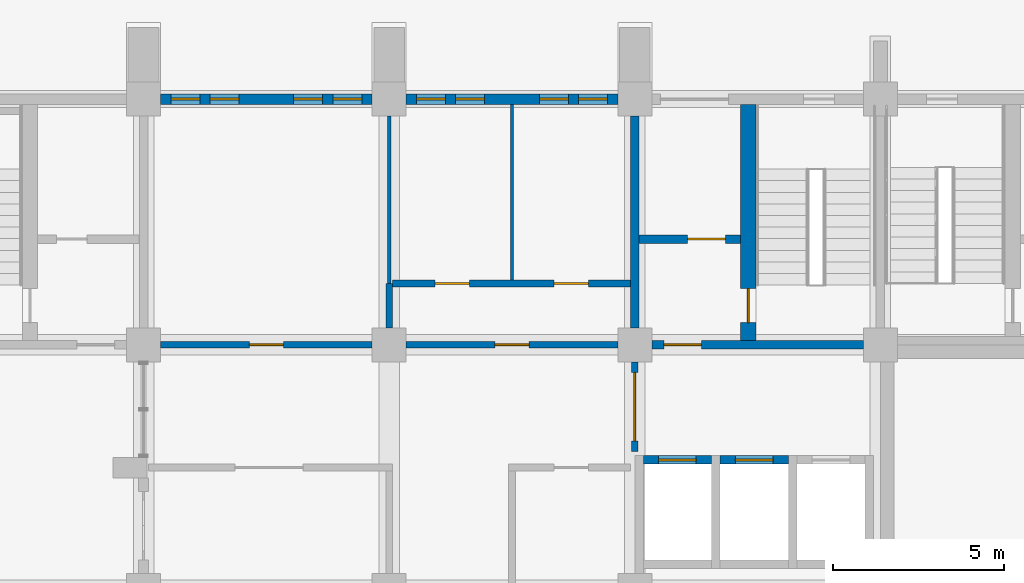
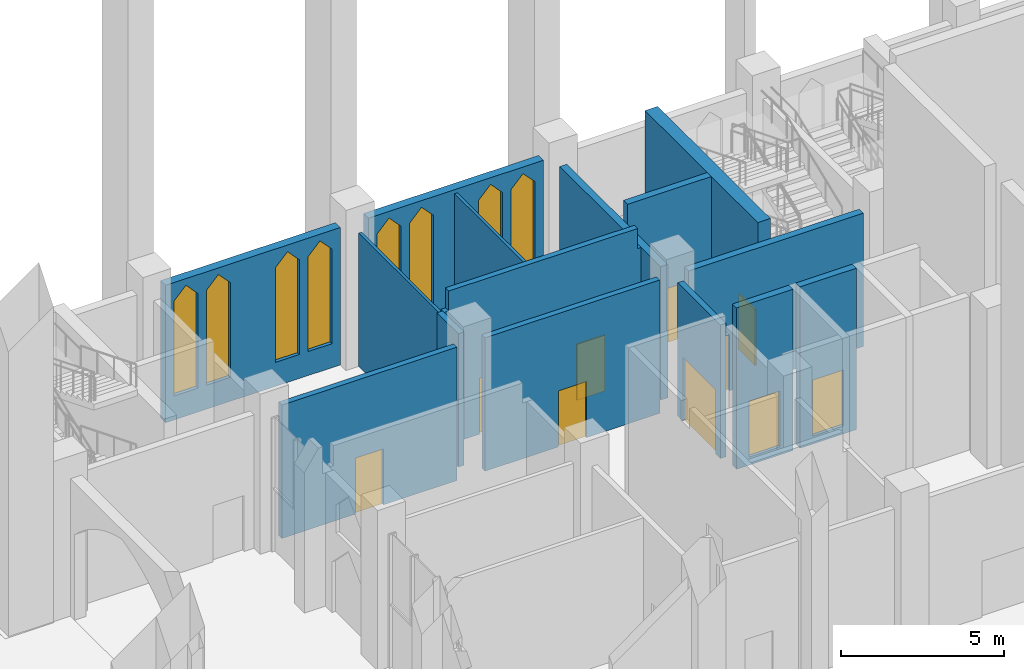
# One storey, part 34 of 50: 15 walls, 10 doors, 8 windows, 18 openings.
"""IFC4 building model written with IfcOpenShell, lengths in metres."""

from ifc_helpers import new_model, si_unit, direction, frame, frame_2d, origin, place, context, subcontext, project, spatial, polyline, rectangle, outline, extrude, material, layer, layer_set, type_object, element, fill, save


model = new_model("IFC4")

# Units and contexts
model_context = context("Model", 3, precision=1e-05, world=origin(), true_north=direction((0.0, 1.0)))
body_context = subcontext(model_context, "Body", "Model", "MODEL_VIEW")
ifc_project = project(units=[si_unit("LENGTHUNIT", "METRE"), si_unit("AREAUNIT", "SQUARE_METRE"), si_unit("VOLUMEUNIT", "CUBIC_METRE"), si_unit("PLANEANGLEUNIT", "RADIAN"), si_unit("MASSUNIT", "GRAM", prefix="KILO")], contexts=[model_context])

# Site, building, storey
site_placement = place(None, origin())
site = spatial("IfcSite", under=ifc_project, at=site_placement, CompositionType="ELEMENT")
building_placement = place(site_placement, origin())
building = spatial("IfcBuilding", under=site, at=building_placement, Name="Silangan Lancet Faculty of Sciences", CompositionType="ELEMENT")
storey_placement = place(building_placement, origin())
storey = spatial("IfcBuildingStorey", under=building, at=storey_placement, Name="L00", CompositionType="ELEMENT", Elevation=0.0)

# Wall, openings, windows
ifc_material_1 = material(Name="Concrete C40/50", Category="concrete")
ifc_layer_1 = layer(ifc_material_1, 0.300048828125)
ifc_layer_set_1 = layer_set([ifc_layer_1], Name="Concrete C40/50")
wall_type_1 = type_object("IfcWallType", Name="EW6 Stone-faced base wall", PredefinedType="STANDARD", material=ifc_layer_set_1)
wall_1_placement = place(storey_placement, frame((21.10009765625, 57.60009765625, 0.0), z_axis=(0.0, 0.0, 1.0), x_axis=(-1.0, 0.0, 0.0)))
wall_1 = element("IfcWall", 1, at=wall_1_placement, inside=storey, type_object=wall_type_1, Name="EW-L00-N-NT-01", PredefinedType="STANDARD", context=body_context, shape_type="SweptSolid", body=[
    extrude(rectangle(XDim=6.2001953125, YDim=0.300048828125, at=frame_2d((3.10009765625, 0.0))), origin(), (0.0, 0.0, 1.0), 5.14990234375),
])
opening_1_placement = place(wall_1_placement, frame((0.300048828125, 0.0, 0.89990234375)))
opening_1 = element("IfcOpeningElement", 2, at=opening_1_placement, cuts=wall_1, Name="Opening W4", PredefinedType="OPENING", context=body_context, shape_type="SweptSolid", body=[
    extrude(outline(polyline([(0.0, 0.0), (0.85009765625, 0.0), (0.85009765625, 3.550048828125), (0.425048828125, 4.0), (0.0, 3.550048828125), (0.0, 0.0)])), frame((0.0, 0.159912109375, 0.0), z_axis=(0.0, -1.0, 0.0), x_axis=(1.0, 0.0, 0.0)), (0.0, 0.0, 1.0), 0.320068359375),
])
opening_2_placement = place(wall_1_placement, frame((1.449951171875, 0.0, 0.89990234375)))
opening_2 = element("IfcOpeningElement", 3, at=opening_2_placement, cuts=wall_1, Name="Opening W4", PredefinedType="OPENING", context=body_context, shape_type="SweptSolid", body=[
    extrude(outline(polyline([(0.0, 0.0), (0.85009765625, 0.0), (0.85009765625, 3.550048828125), (0.425048828125, 4.0), (0.0, 3.550048828125), (0.0, 0.0)])), frame((0.0, 0.159912109375, 0.0), z_axis=(0.0, -1.0, 0.0), x_axis=(1.0, 0.0, 0.0)), (0.0, 0.0, 1.0), 0.320068359375),
])
opening_3_placement = place(wall_1_placement, frame((3.89990234375, 0.0, 0.89990234375)))
opening_3 = element("IfcOpeningElement", 4, at=opening_3_placement, cuts=wall_1, Name="Opening W4", PredefinedType="OPENING", context=body_context, shape_type="SweptSolid", body=[
    extrude(outline(polyline([(0.0, 0.0), (0.85009765625, 0.0), (0.85009765625, 3.550048828125), (0.425048828125, 4.0), (0.0, 3.550048828125), (0.0, 0.0)])), frame((0.0, 0.159912109375, 0.0), z_axis=(0.0, -1.0, 0.0), x_axis=(1.0, 0.0, 0.0)), (0.0, 0.0, 1.0), 0.320068359375),
])
opening_4_placement = place(wall_1_placement, frame((5.050048828125, 0.0, 0.89990234375)))
opening_4 = element("IfcOpeningElement", 5, at=opening_4_placement, cuts=wall_1, Name="Opening W4", PredefinedType="OPENING", context=body_context, shape_type="SweptSolid", body=[
    extrude(outline(polyline([(0.0, 0.0), (0.85009765625, 0.0), (0.85009765625, 3.550048828125), (0.425048828125, 4.0), (0.0, 3.550048828125), (0.0, 0.0)])), frame((0.0, 0.159912109375, 0.0), z_axis=(0.0, -1.0, 0.0), x_axis=(1.0, 0.0, 0.0)), (0.0, 0.0, 1.0), 0.320068359375),
])
ifc_material_2 = material(Name="Aluminium frame, laminated double glazing", Category="aluminium")
window_type = type_object("IfcWindowType", Name="W4 Lancet window 850 x 4000", PartitioningType="SINGLE_PANEL", PredefinedType="WINDOW", material=ifc_material_2)
window_1_placement = place(opening_1_placement, origin())
window_1 = element("IfcWindow", 6, at=window_1_placement, inside=storey, type_object=window_type, Name="WIN-L00-N-NT-01a1", OverallHeight=4.0, OverallWidth=0.85009765625, PartitioningType="SINGLE_PANEL", PredefinedType="WINDOW", context=body_context, shape_type="SweptSolid", body=[
    extrude(outline(polyline([(0.0, 0.0), (0.85009765625, 0.0), (0.85009765625, 3.550048828125), (0.425048828125, 4.0), (0.0, 3.550048828125), (0.0, 0.0)])), frame((0.0, 0.030029296875, 0.0), z_axis=(0.0, -1.0, 0.0), x_axis=(1.0, 0.0, 0.0)), (0.0, 0.0, 1.0), 0.06005859375),
])
fill(opening_1, window_1)
window_2_placement = place(opening_2_placement, origin())
window_2 = element("IfcWindow", 7, at=window_2_placement, inside=storey, type_object=window_type, Name="WIN-L00-N-NT-01a2", OverallHeight=4.0, OverallWidth=0.85009765625, PartitioningType="SINGLE_PANEL", PredefinedType="WINDOW", context=body_context, shape_type="SweptSolid", body=[
    extrude(outline(polyline([(0.0, 0.0), (0.85009765625, 0.0), (0.85009765625, 3.550048828125), (0.425048828125, 4.0), (0.0, 3.550048828125), (0.0, 0.0)])), frame((0.0, 0.030029296875, 0.0), z_axis=(0.0, -1.0, 0.0), x_axis=(1.0, 0.0, 0.0)), (0.0, 0.0, 1.0), 0.06005859375),
])
fill(opening_2, window_2)
window_3_placement = place(opening_3_placement, origin())
window_3 = element("IfcWindow", 8, at=window_3_placement, inside=storey, type_object=window_type, Name="WIN-L00-N-NT-01b1", OverallHeight=4.0, OverallWidth=0.85009765625, PartitioningType="SINGLE_PANEL", PredefinedType="WINDOW", context=body_context, shape_type="SweptSolid", body=[
    extrude(outline(polyline([(0.0, 0.0), (0.85009765625, 0.0), (0.85009765625, 3.550048828125), (0.425048828125, 4.0), (0.0, 3.550048828125), (0.0, 0.0)])), frame((0.0, 0.030029296875, 0.0), z_axis=(0.0, -1.0, 0.0), x_axis=(1.0, 0.0, 0.0)), (0.0, 0.0, 1.0), 0.06005859375),
])
fill(opening_3, window_3)
window_4_placement = place(opening_4_placement, origin())
window_4 = element("IfcWindow", 9, at=window_4_placement, inside=storey, type_object=window_type, Name="WIN-L00-N-NT-01b2", OverallHeight=4.0, OverallWidth=0.85009765625, PartitioningType="SINGLE_PANEL", PredefinedType="WINDOW", context=body_context, shape_type="SweptSolid", body=[
    extrude(outline(polyline([(0.0, 0.0), (0.85009765625, 0.0), (0.85009765625, 3.550048828125), (0.425048828125, 4.0), (0.0, 3.550048828125), (0.0, 0.0)])), frame((0.0, 0.030029296875, 0.0), z_axis=(0.0, -1.0, 0.0), x_axis=(1.0, 0.0, 0.0)), (0.0, 0.0, 1.0), 0.06005859375),
])
fill(opening_4, window_4)

wall_2_placement = place(storey_placement, frame((13.89990234375, 57.60009765625, 0.0), z_axis=(0.0, 0.0, 1.0), x_axis=(-1.0, 0.0, 0.0)))
wall_2 = element("IfcWall", 10, at=wall_2_placement, inside=storey, type_object=wall_type_1, Name="EW-L00-N-NT-02", PredefinedType="STANDARD", context=body_context, shape_type="SweptSolid", body=[
    extrude(rectangle(XDim=6.199951171875, YDim=0.300048828125, at=frame_2d((3.10009765625, 0.0))), origin(), (0.0, 0.0, 1.0), 5.14990234375),
])
opening_5_placement = place(wall_2_placement, frame((0.300048828125, 0.0, 0.89990234375)))
opening_5 = element("IfcOpeningElement", 11, at=opening_5_placement, cuts=wall_2, Name="Opening W4", PredefinedType="OPENING", context=body_context, shape_type="SweptSolid", body=[
    extrude(outline(polyline([(0.0, 0.0), (0.85009765625, 0.0), (0.85009765625, 3.550048828125), (0.425048828125, 4.0), (0.0, 3.550048828125), (0.0, 0.0)])), frame((0.0, 0.159912109375, 0.0), z_axis=(0.0, -1.0, 0.0), x_axis=(1.0, 0.0, 0.0)), (0.0, 0.0, 1.0), 0.320068359375),
])
opening_6_placement = place(wall_2_placement, frame((1.449951171875, 0.0, 0.89990234375)))
opening_6 = element("IfcOpeningElement", 12, at=opening_6_placement, cuts=wall_2, Name="Opening W4", PredefinedType="OPENING", context=body_context, shape_type="SweptSolid", body=[
    extrude(outline(polyline([(0.0, 0.0), (0.85009765625, 0.0), (0.85009765625, 3.550048828125), (0.425048828125, 4.0), (0.0, 3.550048828125), (0.0, 0.0)])), frame((0.0, 0.159912109375, 0.0), z_axis=(0.0, -1.0, 0.0), x_axis=(1.0, 0.0, 0.0)), (0.0, 0.0, 1.0), 0.320068359375),
])
opening_7_placement = place(wall_2_placement, frame((3.89990234375, 0.0, 0.89990234375)))
opening_7 = element("IfcOpeningElement", 13, at=opening_7_placement, cuts=wall_2, Name="Opening W4", PredefinedType="OPENING", context=body_context, shape_type="SweptSolid", body=[
    extrude(outline(polyline([(0.0, 0.0), (0.85009765625, 0.0), (0.85009765625, 3.550048828125), (0.425048828125, 4.0), (0.0, 3.550048828125), (0.0, 0.0)])), frame((0.0, 0.159912109375, 0.0), z_axis=(0.0, -1.0, 0.0), x_axis=(1.0, 0.0, 0.0)), (0.0, 0.0, 1.0), 0.320068359375),
])
opening_8_placement = place(wall_2_placement, frame((5.050048828125, 0.0, 0.89990234375)))
opening_8 = element("IfcOpeningElement", 14, at=opening_8_placement, cuts=wall_2, Name="Opening W4", PredefinedType="OPENING", context=body_context, shape_type="SweptSolid", body=[
    extrude(outline(polyline([(0.0, 0.0), (0.85009765625, 0.0), (0.85009765625, 3.550048828125), (0.425048828125, 4.0), (0.0, 3.550048828125), (0.0, 0.0)])), frame((0.0, 0.159912109375, 0.0), z_axis=(0.0, -1.0, 0.0), x_axis=(1.0, 0.0, 0.0)), (0.0, 0.0, 1.0), 0.320068359375),
])
window_5_placement = place(opening_5_placement, origin())
window_5 = element("IfcWindow", 15, at=window_5_placement, inside=storey, type_object=window_type, Name="WIN-L00-N-NT-02a1", OverallHeight=4.0, OverallWidth=0.85009765625, PartitioningType="SINGLE_PANEL", PredefinedType="WINDOW", context=body_context, shape_type="SweptSolid", body=[
    extrude(outline(polyline([(0.0, 0.0), (0.85009765625, 0.0), (0.85009765625, 3.550048828125), (0.425048828125, 4.0), (0.0, 3.550048828125), (0.0, 0.0)])), frame((0.0, 0.030029296875, 0.0), z_axis=(0.0, -1.0, 0.0), x_axis=(1.0, 0.0, 0.0)), (0.0, 0.0, 1.0), 0.06005859375),
])
fill(opening_5, window_5)
window_6_placement = place(opening_6_placement, origin())
window_6 = element("IfcWindow", 16, at=window_6_placement, inside=storey, type_object=window_type, Name="WIN-L00-N-NT-02a2", OverallHeight=4.0, OverallWidth=0.85009765625, PartitioningType="SINGLE_PANEL", PredefinedType="WINDOW", context=body_context, shape_type="SweptSolid", body=[
    extrude(outline(polyline([(0.0, 0.0), (0.85009765625, 0.0), (0.85009765625, 3.550048828125), (0.425048828125, 4.0), (0.0, 3.550048828125), (0.0, 0.0)])), frame((0.0, 0.030029296875, 0.0), z_axis=(0.0, -1.0, 0.0), x_axis=(1.0, 0.0, 0.0)), (0.0, 0.0, 1.0), 0.06005859375),
])
fill(opening_6, window_6)
window_7_placement = place(opening_7_placement, origin())
window_7 = element("IfcWindow", 17, at=window_7_placement, inside=storey, type_object=window_type, Name="WIN-L00-N-NT-02b1", OverallHeight=4.0, OverallWidth=0.85009765625, PartitioningType="SINGLE_PANEL", PredefinedType="WINDOW", context=body_context, shape_type="SweptSolid", body=[
    extrude(outline(polyline([(0.0, 0.0), (0.85009765625, 0.0), (0.85009765625, 3.550048828125), (0.425048828125, 4.0), (0.0, 3.550048828125), (0.0, 0.0)])), frame((0.0, 0.030029296875, 0.0), z_axis=(0.0, -1.0, 0.0), x_axis=(1.0, 0.0, 0.0)), (0.0, 0.0, 1.0), 0.06005859375),
])
fill(opening_7, window_7)
window_8_placement = place(opening_8_placement, origin())
window_8 = element("IfcWindow", 18, at=window_8_placement, inside=storey, type_object=window_type, Name="WIN-L00-N-NT-02b2", OverallHeight=4.0, OverallWidth=0.85009765625, PartitioningType="SINGLE_PANEL", PredefinedType="WINDOW", context=body_context, shape_type="SweptSolid", body=[
    extrude(outline(polyline([(0.0, 0.0), (0.85009765625, 0.0), (0.85009765625, 3.550048828125), (0.425048828125, 4.0), (0.0, 3.550048828125), (0.0, 0.0)])), frame((0.0, 0.030029296875, 0.0), z_axis=(0.0, -1.0, 0.0), x_axis=(1.0, 0.0, 0.0)), (0.0, 0.0, 1.0), 0.06005859375),
])
fill(opening_8, window_8)

# Wall, opening, door
ifc_material_3 = material(Name="Hollow block masonry fm 7 MPa", Category="masonry")
ifc_layer_2 = layer(ifc_material_3, 0.199951171875)
ifc_layer_set_2 = layer_set([ifc_layer_2], Name="Hollow block masonry fm 7 MPa")
wall_type_2 = type_object("IfcWallType", Name="Interior wall PW1 Corridor wall CHB 200", PredefinedType="PARTITIONING", material=ifc_layer_set_2)
wall_3_placement = place(storey_placement, frame((7.699951171875, 50.39990234375, 0.0), z_axis=(0.0, 0.0, 1.0), x_axis=(1.0, 0.0, 0.0)))
wall_3 = element("IfcWall", 19, at=wall_3_placement, inside=storey, type_object=wall_type_2, Name="Corridor wall CHB 200", PredefinedType="PARTITIONING", context=body_context, shape_type="SweptSolid", body=[
    extrude(rectangle(XDim=6.199951171875, YDim=0.199951171875, at=frame_2d((3.10009765625, 0.0))), origin(), (0.0, 0.0, 1.0), 5.0),
])
opening_9_placement = place(wall_3_placement, frame((2.599853515625, 0.0, 0.0)))
opening_9 = element("IfcOpeningElement", 20, at=opening_9_placement, cuts=wall_3, Name="Opening L00-053", PredefinedType="OPENING", context=body_context, shape_type="SweptSolid", body=[
    extrude(rectangle(XDim=1.0, YDim=2.10009765625, at=frame_2d((0.5, 1.050048828125))), frame((0.0, 0.10986328125, 0.0), z_axis=(0.0, -1.0, 0.0), x_axis=(1.0, 0.0, 0.0)), (0.0, 0.0, 1.0), 0.219970703125),
])
ifc_material_4 = material(Name="Steel fire door set", Category="steel")
door_type_1 = type_object("IfcDoorType", Name="Door D1 Single leaf fire door 1000 x 2100", OperationType="SINGLE_SWING_LEFT", PredefinedType="DOOR", material=ifc_material_4)
door_1_placement = place(opening_9_placement, origin())
door_1 = element("IfcDoor", 21, at=door_1_placement, inside=storey, type_object=door_type_1, Name="Single leaf fire door 1000 x 2100", OperationType="SINGLE_SWING_RIGHT", OverallHeight=2.10009765625, OverallWidth=1.0, PredefinedType="DOOR", context=body_context, shape_type="SweptSolid", body=[
    extrude(rectangle(XDim=1.0, YDim=2.10009765625, at=frame_2d((0.5, 1.050048828125))), frame((0.0, 0.02490234375, 0.0), z_axis=(0.0, -1.0, 0.0), x_axis=(1.0, 0.0, 0.0)), (0.0, 0.0, 1.0), 0.050048828125),
])
fill(opening_9, door_1)

wall_4_placement = place(storey_placement, frame((14.89990234375, 50.39990234375, 0.0), z_axis=(0.0, 0.0, 1.0), x_axis=(1.0, 0.0, 0.0)))
wall_4 = element("IfcWall", 22, at=wall_4_placement, inside=storey, type_object=wall_type_2, Name="Corridor wall CHB 200", PredefinedType="PARTITIONING", context=body_context, shape_type="SweptSolid", body=[
    extrude(rectangle(XDim=6.2001953125, YDim=0.199951171875, at=frame_2d((3.10009765625, 0.0))), origin(), (0.0, 0.0, 1.0), 5.0),
])
opening_10_placement = place(wall_4_placement, frame((2.60009765625, 0.0, 0.0)))
opening_10 = element("IfcOpeningElement", 23, at=opening_10_placement, cuts=wall_4, Name="Opening L00-008", PredefinedType="OPENING", context=body_context, shape_type="SweptSolid", body=[
    extrude(rectangle(XDim=1.0, YDim=2.10009765625, at=frame_2d((0.5, 1.050048828125))), frame((0.0, 0.10986328125, 0.0), z_axis=(0.0, -1.0, 0.0), x_axis=(1.0, 0.0, 0.0)), (0.0, 0.0, 1.0), 0.219970703125),
])
door_2_placement = place(opening_10_placement, origin())
door_2 = element("IfcDoor", 24, at=door_2_placement, inside=storey, type_object=door_type_1, Name="Single leaf fire door 1000 x 2100", OperationType="SINGLE_SWING_RIGHT", OverallHeight=2.10009765625, OverallWidth=1.0, PredefinedType="DOOR", context=body_context, shape_type="SweptSolid", body=[
    extrude(rectangle(XDim=1.0, YDim=2.10009765625, at=frame_2d((0.5, 1.050048828125))), frame((0.0, 0.02490234375, 0.0), z_axis=(0.0, -1.0, 0.0), x_axis=(1.0, 0.0, 0.0)), (0.0, 0.0, 1.0), 0.050048828125),
])
fill(opening_10, door_2)

# Wall, openings, doors
wall_5_placement = place(storey_placement, frame((14.5, 52.199951171875, 0.0), z_axis=(0.0, 0.0, 1.0), x_axis=(1.0, 0.0, 0.0)))
wall_5 = element("IfcWall", 25, at=wall_5_placement, inside=storey, type_object=wall_type_2, Name="Corridor wall CHB 200", PredefinedType="PARTITIONING", context=body_context, shape_type="SweptSolid", body=[
    extrude(outline(polyline([(0.0, 0.0), (6.97509765625, 0.0), (6.97509765625, 5.0), (6.85009765625, 5.0), (6.85009765625, 5.75), (0.14990234375, 5.75), (0.14990234375, 5.0), (0.0, 5.0), (0.0, 0.0)])), frame((0.0, 0.10009765625, 0.0), z_axis=(0.0, -1.0, 0.0), x_axis=(1.0, 0.0, 0.0)), (0.0, 0.0, 1.0), 0.199951171875),
])
opening_11_placement = place(wall_5_placement, frame((1.25, 0.0, 0.0)))
opening_11 = element("IfcOpeningElement", 26, at=opening_11_placement, cuts=wall_5, Name="Opening L00-054", PredefinedType="OPENING", context=body_context, shape_type="SweptSolid", body=[
    extrude(rectangle(XDim=1.0, YDim=2.10009765625, at=frame_2d((0.5, 1.050048828125))), frame((0.0, 0.10986328125, 0.0), z_axis=(0.0, -1.0, 0.0), x_axis=(1.0, 0.0, 0.0)), (0.0, 0.0, 1.0), 0.219970703125),
])
opening_12_placement = place(wall_5_placement, frame((4.737548828125, 0.0, 0.0)))
opening_12 = element("IfcOpeningElement", 27, at=opening_12_placement, cuts=wall_5, Name="Opening L00-055", PredefinedType="OPENING", context=body_context, shape_type="SweptSolid", body=[
    extrude(rectangle(XDim=1.0, YDim=2.10009765625, at=frame_2d((0.5, 1.050048828125))), frame((0.0, 0.10986328125, 0.0), z_axis=(0.0, -1.0, 0.0), x_axis=(1.0, 0.0, 0.0)), (0.0, 0.0, 1.0), 0.219970703125),
])
door_3_placement = place(opening_11_placement, origin())
door_3 = element("IfcDoor", 28, at=door_3_placement, inside=storey, type_object=door_type_1, Name="Single leaf fire door 1000 x 2100", OperationType="SINGLE_SWING_LEFT", OverallHeight=2.10009765625, OverallWidth=1.0, PredefinedType="DOOR", context=body_context, shape_type="SweptSolid", body=[
    extrude(rectangle(XDim=1.0, YDim=2.10009765625, at=frame_2d((0.5, 1.050048828125))), frame((0.0, 0.02490234375, 0.0), z_axis=(0.0, -1.0, 0.0), x_axis=(1.0, 0.0, 0.0)), (0.0, 0.0, 1.0), 0.050048828125),
])
fill(opening_11, door_3)
door_4_placement = place(opening_12_placement, origin())
door_4 = element("IfcDoor", 29, at=door_4_placement, inside=storey, type_object=door_type_1, Name="Single leaf fire door 1000 x 2100", OperationType="SINGLE_SWING_RIGHT", OverallHeight=2.10009765625, OverallWidth=1.0, PredefinedType="DOOR", context=body_context, shape_type="SweptSolid", body=[
    extrude(rectangle(XDim=1.0, YDim=2.10009765625, at=frame_2d((0.5, 1.050048828125))), frame((0.0, 0.02490234375, 0.0), z_axis=(0.0, -1.0, 0.0), x_axis=(1.0, 0.0, 0.0)), (0.0, 0.0, 1.0), 0.050048828125),
])
fill(opening_12, door_4)

# Walls
wall_6_placement = place(storey_placement, frame((14.39990234375, 50.89990234375, 0.0), z_axis=(0.0, 0.0, 1.0), x_axis=(0.0, 1.0, 0.0)))
element("IfcWall", 30, at=wall_6_placement, inside=storey, type_object=wall_type_2, Name="Corridor wall CHB 200", PredefinedType="PARTITIONING", context=body_context, shape_type="SweptSolid", body=[
    extrude(rectangle(XDim=1.300048828125, YDim=0.199951171875, at=frame_2d((0.64990234375, 0.0))), origin(), (0.0, 0.0, 1.0), 5.0),
])
ifc_material_5 = material(Name="Hollow block masonry fm 7 MPa", Category="masonry")
ifc_layer_3 = layer(ifc_material_5, 0.10009765625)
ifc_layer_set_3 = layer_set([ifc_layer_3], Name="Hollow block masonry fm 7 MPa")
wall_type_3 = type_object("IfcWallType", Name="Interior wall PW8 WC partition CHB 100", PredefinedType="PARTITIONING", material=ifc_layer_set_3)
wall_7_placement = place(storey_placement, frame((14.39990234375, 52.199951171875, 0.0), z_axis=(0.0, 0.0, 1.0), x_axis=(0.0, 1.0, 0.0)))
element("IfcWall", 31, at=wall_7_placement, inside=storey, type_object=wall_type_3, Name="WC partition CHB 100", PredefinedType="PARTITIONING", context=body_context, shape_type="SweptSolid", body=[
    extrude(rectangle(XDim=4.900146484375, YDim=0.10009765625, at=frame_2d((2.4501953125, 0.0))), origin(), (0.0, 0.0, 1.0), 5.0),
])
wall_8_placement = place(storey_placement, frame((18.0, 52.300048828125, 0.0), z_axis=(0.0, 0.0, 1.0), x_axis=(0.0, 1.0, 0.0)))
element("IfcWall", 32, at=wall_8_placement, inside=storey, type_object=wall_type_3, Name="WC partition CHB 100", PredefinedType="PARTITIONING", context=body_context, shape_type="SweptSolid", body=[
    extrude(rectangle(XDim=5.14990234375, YDim=0.10009765625, at=frame_2d((2.574951171875, 0.0))), origin(), (0.0, 0.0, 1.0), 5.0),
])

# Wall, opening, door
ifc_material_6 = material(Name="Hollow block masonry fm 7 MPa", Category="masonry")
ifc_layer_4 = layer(ifc_material_6, 0.199951171875)
ifc_layer_set_4 = layer_set([ifc_layer_4], Name="Hollow block masonry fm 7 MPa")
wall_type_4 = type_object("IfcWallType", Name="Interior wall PW9 Lift lobby wall CHB 200", PredefinedType="PARTITIONING", material=ifc_layer_set_4)
wall_9_placement = place(storey_placement, frame((21.60009765625, 47.27490234375, 0.0), z_axis=(0.0, 0.0, 1.0), x_axis=(0.0, 1.0, 0.0)))
wall_9 = element("IfcWall", 33, at=wall_9_placement, inside=storey, type_object=wall_type_4, Name="Lift lobby wall CHB 200", PredefinedType="PARTITIONING", context=body_context, shape_type="SweptSolid", body=[
    extrude(rectangle(XDim=2.625, YDim=0.199951171875, at=frame_2d((1.3125, 0.0))), origin(), (0.0, 0.0, 1.0), 5.0),
])
opening_13_placement = place(wall_9_placement, frame((0.3125, 0.0, 0.0)))
opening_13 = element("IfcOpeningElement", 34, at=opening_13_placement, cuts=wall_9, Name="Opening L00-007", PredefinedType="OPENING", context=body_context, shape_type="SweptSolid", body=[
    extrude(rectangle(XDim=2.0, YDim=2.39990234375, at=frame_2d((1.0, 1.199951171875))), frame((0.0, 0.10986328125, 0.0), z_axis=(0.0, -1.0, 0.0), x_axis=(1.0, 0.0, 0.0)), (0.0, 0.0, 1.0), 0.219970703125),
])
ifc_material_7 = material(Name="Steel fire door set", Category="steel")
door_type_2 = type_object("IfcDoorType", Name="Door D5 Lift lobby double fire door 2000 x 2400", OperationType="DOUBLE_DOOR_SINGLE_SWING", PredefinedType="DOOR", material=ifc_material_7)
door_5_placement = place(opening_13_placement, origin())
door_5 = element("IfcDoor", 35, at=door_5_placement, inside=storey, type_object=door_type_2, Name="Lift lobby double fire door 2000 x 2400", OperationType="DOUBLE_DOOR_SINGLE_SWING", OverallHeight=2.39990234375, OverallWidth=2.0, PredefinedType="DOOR", context=body_context, shape_type="SweptSolid", body=[
    extrude(rectangle(XDim=2.0, YDim=2.39990234375, at=frame_2d((1.0, 1.199951171875))), frame((0.0, 0.02490234375, 0.0), z_axis=(0.0, -1.0, 0.0), x_axis=(1.0, 0.0, 0.0)), (0.0, 0.0, 1.0), 0.050048828125),
])
fill(opening_13, door_5)

ifc_material_8 = material(Name="Concrete C40/50", Category="concrete")
ifc_layer_5 = layer(ifc_material_8, 0.25)
ifc_layer_set_5 = layer_set([ifc_layer_5], Name="Concrete C40/50")
wall_type_5 = type_object("IfcWallType", Name="LIFT SHAFT WALL RC 250", PredefinedType="SHEAR", material=ifc_layer_set_5)
wall_10_placement = place(storey_placement, frame((21.85009765625, 47.02490234375, -0.300048828125), z_axis=(0.0, 0.0, 1.0), x_axis=(1.0, 0.0, 0.0)))
wall_10 = element("IfcWall", 36, at=wall_10_placement, inside=storey, type_object=wall_type_5, Name="WALL-L00-NT-L1-F", PredefinedType="SHEAR", context=body_context, shape_type="SweptSolid", body=[
    extrude(rectangle(XDim=2.0, YDim=0.25, at=frame_2d((1.0, 0.0))), origin(), (0.0, 0.0, 1.0), 6.050048828125),
])
opening_14_placement = place(wall_10_placement, frame((0.449951171875, 0.0, 0.300048828125)))
opening_14 = element("IfcOpeningElement", 37, at=opening_14_placement, cuts=wall_10, Name="Opening L00-804", PredefinedType="OPENING", context=body_context, shape_type="SweptSolid", body=[
    extrude(rectangle(XDim=1.10009765625, YDim=2.10009765625, at=frame_2d((0.550048828125, 1.050048828125))), frame((0.0, 0.135009765625, 0.0), z_axis=(0.0, -1.0, 0.0), x_axis=(1.0, 0.0, 0.0)), (0.0, 0.0, 1.0), 0.27001953125),
])
ifc_material_9 = material(Name="Stainless steel sliding door", Category="steel")
door_type_3 = type_object("IfcDoorType", Name="LD1 Lift landing door 1100x2100", OperationType="SLIDING_TO_LEFT", PredefinedType="DOOR", material=ifc_material_9)
door_6_placement = place(opening_14_placement, origin())
door_6 = element("IfcDoor", 38, at=door_6_placement, inside=storey, type_object=door_type_3, Name="Landing door NT-L1 L00", OperationType="SLIDING_TO_LEFT", OverallHeight=2.10009765625, OverallWidth=1.10009765625, PredefinedType="DOOR", context=body_context, shape_type="SweptSolid", body=[
    extrude(rectangle(XDim=1.10009765625, YDim=2.10009765625, at=frame_2d((0.550048828125, 1.050048828125))), frame((0.0, 0.02490234375, 0.0), z_axis=(0.0, -1.0, 0.0), x_axis=(1.0, 0.0, 0.0)), (0.0, 0.0, 1.0), 0.050048828125),
])
fill(opening_14, door_6)

wall_11_placement = place(storey_placement, frame((24.10009765625, 47.02490234375, -0.300048828125), z_axis=(0.0, 0.0, 1.0), x_axis=(1.0, 0.0, 0.0)))
wall_11 = element("IfcWall", 39, at=wall_11_placement, inside=storey, type_object=wall_type_5, Name="WALL-L00-NT-L2-F", PredefinedType="SHEAR", context=body_context, shape_type="SweptSolid", body=[
    extrude(rectangle(XDim=2.0, YDim=0.25, at=frame_2d((1.0, 0.0))), origin(), (0.0, 0.0, 1.0), 6.050048828125),
])
opening_15_placement = place(wall_11_placement, frame((0.449951171875, 0.0, 0.300048828125)))
opening_15 = element("IfcOpeningElement", 40, at=opening_15_placement, cuts=wall_11, Name="Opening L00-805", PredefinedType="OPENING", context=body_context, shape_type="SweptSolid", body=[
    extrude(rectangle(XDim=1.10009765625, YDim=2.10009765625, at=frame_2d((0.550048828125, 1.050048828125))), frame((0.0, 0.135009765625, 0.0), z_axis=(0.0, -1.0, 0.0), x_axis=(1.0, 0.0, 0.0)), (0.0, 0.0, 1.0), 0.27001953125),
])
door_7_placement = place(opening_15_placement, origin())
door_7 = element("IfcDoor", 41, at=door_7_placement, inside=storey, type_object=door_type_3, Name="Landing door NT-L2 L00", OperationType="SLIDING_TO_LEFT", OverallHeight=2.10009765625, OverallWidth=1.10009765625, PredefinedType="DOOR", context=body_context, shape_type="SweptSolid", body=[
    extrude(rectangle(XDim=1.10009765625, YDim=2.10009765625, at=frame_2d((0.550048828125, 1.050048828125))), frame((0.0, 0.02490234375, 0.0), z_axis=(0.0, -1.0, 0.0), x_axis=(1.0, 0.0, 0.0)), (0.0, 0.0, 1.0), 0.050048828125),
])
fill(opening_15, door_7)

ifc_material_10 = material(Name="Concrete C40/50", Category="concrete")
ifc_layer_6 = layer(ifc_material_10, 0.449951171875)
ifc_layer_set_6 = layer_set([ifc_layer_6], Name="Concrete C40/50")
wall_type_6 = type_object("IfcWallType", Name="TURRET CORE WALL RC 450", PredefinedType="SHEAR", material=ifc_layer_set_6)
wall_12_placement = place(storey_placement, frame((24.925048828125, 50.52490234375, 0.0), z_axis=(0.0, 0.0, 1.0), x_axis=(0.0, 1.0, 0.0)))
wall_12 = element("IfcWall", 42, at=wall_12_placement, inside=storey, type_object=wall_type_6, Name="WALL-L00-NT-B-WELL", PredefinedType="SHEAR", context=body_context, shape_type="SweptSolid", body=[
    extrude(rectangle(XDim=6.925048828125, YDim=0.449951171875, at=frame_2d((3.46240234375, 0.0))), origin(), (0.0, 0.0, 1.0), 5.75),
])
opening_16_placement = place(wall_12_placement, frame((0.52490234375, 0.0, 0.0)))
opening_16 = element("IfcOpeningElement", 43, at=opening_16_placement, cuts=wall_12, Name="Opening L00-716", PredefinedType="OPENING", context=body_context, shape_type="SweptSolid", body=[
    extrude(rectangle(XDim=1.0, YDim=2.10009765625, at=frame_2d((0.5, 1.050048828125))), frame((0.0, 0.23486328125, 0.0), z_axis=(0.0, -1.0, 0.0), x_axis=(1.0, 0.0, 0.0)), (0.0, 0.0, 1.0), 0.469970703125),
])
ifc_material_11 = material(Name="Steel fire door set", Category="steel")
door_type_4 = type_object("IfcDoorType", Name="D71 Stair enclosure door 1000x2100", OperationType="SINGLE_SWING_LEFT", PredefinedType="DOOR", material=ifc_material_11)
door_8_placement = place(opening_16_placement, frame((1.0, 0.0, 0.0), z_axis=(0.0, 0.0, 1.0), x_axis=(-1.0, 0.0, 0.0)))
door_8 = element("IfcDoor", 44, at=door_8_placement, inside=storey, type_object=door_type_4, Name="Stair enclosure door NT-B L00", OperationType="SINGLE_SWING_RIGHT", OverallHeight=2.10009765625, OverallWidth=1.0, PredefinedType="DOOR", context=body_context, shape_type="SweptSolid", body=[
    extrude(rectangle(XDim=1.0, YDim=2.10009765625, at=frame_2d((0.5, 1.050048828125))), frame((0.0, 0.025146484375, 0.0), z_axis=(0.0, -1.0, 0.0), x_axis=(1.0, 0.0, 0.0)), (0.0, 0.0, 1.0), 0.050048828125),
])
fill(opening_16, door_8)

ifc_material_12 = material(Name="Concrete C40/50", Category="concrete")
ifc_layer_7 = layer(ifc_material_12, 0.25)
ifc_layer_set_7 = layer_set([ifc_layer_7], Name="Concrete C40/50")
wall_type_7 = type_object("IfcWallType", Name="TURRET WALL RC 250", PredefinedType="SHEAR", material=ifc_layer_set_7)
wall_13_placement = place(storey_placement, frame((22.10009765625, 50.39990234375, 0.0), z_axis=(0.0, 0.0, 1.0), x_axis=(1.0, 0.0, 0.0)))
wall_13 = element("IfcWall", 45, at=wall_13_placement, inside=storey, type_object=wall_type_7, Name="WALL-L00-NT-B-V", PredefinedType="SHEAR", context=body_context, shape_type="SweptSolid", body=[
    extrude(rectangle(XDim=6.199951171875, YDim=0.25, at=frame_2d((3.10009765625, 0.0))), origin(), (0.0, 0.0, 1.0), 5.0),
])
opening_17_placement = place(wall_13_placement, frame((0.35009765625, 0.0, 0.0)))
opening_17 = element("IfcOpeningElement", 46, at=opening_17_placement, cuts=wall_13, Name="Opening L00-717", PredefinedType="OPENING", context=body_context, shape_type="SweptSolid", body=[
    extrude(rectangle(XDim=1.10009765625, YDim=2.10009765625, at=frame_2d((0.550048828125, 1.050048828125))), frame((0.0, 0.135009765625, 0.0), z_axis=(0.0, -1.0, 0.0), x_axis=(1.0, 0.0, 0.0)), (0.0, 0.0, 1.0), 0.27001953125),
])
ifc_material_13 = material(Name="Steel fire door set", Category="steel")
door_type_5 = type_object("IfcDoorType", Name="D70 Stair vestibule door 1100x2100", OperationType="SINGLE_SWING_LEFT", PredefinedType="DOOR", material=ifc_material_13)
door_9_placement = place(opening_17_placement, origin())
door_9 = element("IfcDoor", 47, at=door_9_placement, inside=storey, type_object=door_type_5, Name="Stair vestibule door NT-B L00", OperationType="SINGLE_SWING_LEFT", OverallHeight=2.10009765625, OverallWidth=1.10009765625, PredefinedType="DOOR", context=body_context, shape_type="SweptSolid", body=[
    extrude(rectangle(XDim=1.10009765625, YDim=2.10009765625, at=frame_2d((0.550048828125, 1.050048828125))), frame((0.0, 0.02490234375, 0.0), z_axis=(0.0, -1.0, 0.0), x_axis=(1.0, 0.0, 0.0)), (0.0, 0.0, 1.0), 0.050048828125),
])
fill(opening_17, door_9)

# Wall
wall_14_placement = place(storey_placement, frame((21.60009765625, 50.89990234375, 0.0), z_axis=(0.0, 0.0, 1.0), x_axis=(0.0, 1.0, 0.0)))
element("IfcWall", 48, at=wall_14_placement, inside=storey, type_object=wall_type_7, Name="WALL-L00-NT-B-O", PredefinedType="SHEAR", context=body_context, shape_type="SweptSolid", body=[
    extrude(rectangle(XDim=6.2001953125, YDim=0.25, at=frame_2d((3.10009765625, 0.0))), origin(), (0.0, 0.0, 1.0), 5.0),
])

# Wall, opening, door
wall_15_placement = place(storey_placement, frame((21.72509765625, 53.5, 0.0), z_axis=(0.0, 0.0, 1.0), x_axis=(1.0, 0.0, 0.0)))
wall_15 = element("IfcWall", 49, at=wall_15_placement, inside=storey, type_object=wall_type_7, Name="WALL-L00-NT-B-RISER", PredefinedType="SHEAR", context=body_context, shape_type="SweptSolid", body=[
    extrude(rectangle(XDim=2.974853515625, YDim=0.25, at=frame_2d((1.4873046875, 0.0))), origin(), (0.0, 0.0, 1.0), 5.75),
])
opening_18_placement = place(wall_15_placement, frame((1.425048828125, 0.0, 0.0)))
opening_18 = element("IfcOpeningElement", 50, at=opening_18_placement, cuts=wall_15, Name="Opening L00-718", PredefinedType="OPENING", context=body_context, shape_type="SweptSolid", body=[
    extrude(rectangle(XDim=1.10009765625, YDim=2.10009765625, at=frame_2d((0.550048828125, 1.050048828125))), frame((0.0, 0.135009765625, 0.0), z_axis=(0.0, -1.0, 0.0), x_axis=(1.0, 0.0, 0.0)), (0.0, 0.0, 1.0), 0.27001953125),
])
door_10_placement = place(opening_18_placement, origin())
door_10 = element("IfcDoor", 51, at=door_10_placement, inside=storey, type_object=door_type_5, Name="Exit passageway door NT-B L00", OperationType="SINGLE_SWING_LEFT", OverallHeight=2.10009765625, OverallWidth=1.10009765625, PredefinedType="DOOR", context=body_context, shape_type="SweptSolid", body=[
    extrude(rectangle(XDim=1.10009765625, YDim=2.10009765625, at=frame_2d((0.550048828125, 1.050048828125))), frame((0.0, 0.02490234375, 0.0), z_axis=(0.0, -1.0, 0.0), x_axis=(1.0, 0.0, 0.0)), (0.0, 0.0, 1.0), 0.050048828125),
])
fill(opening_18, door_10)

save(model, "model.ifc")
